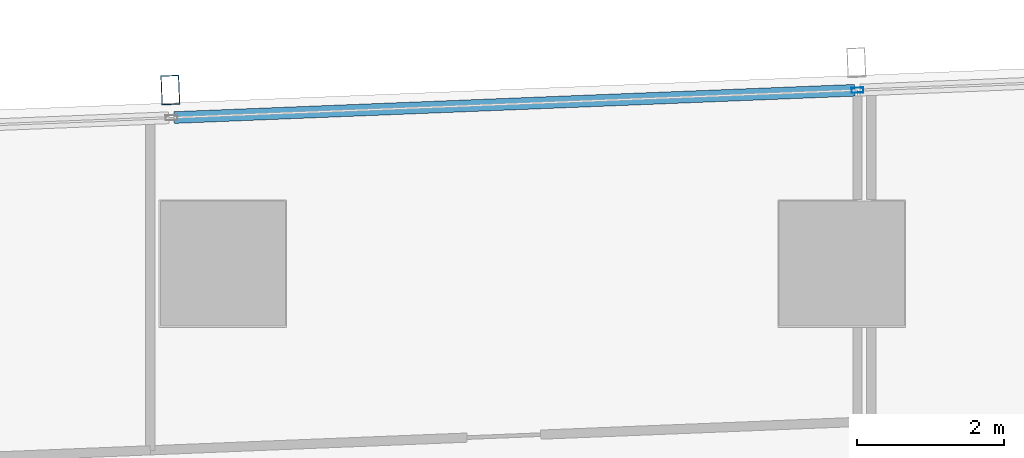
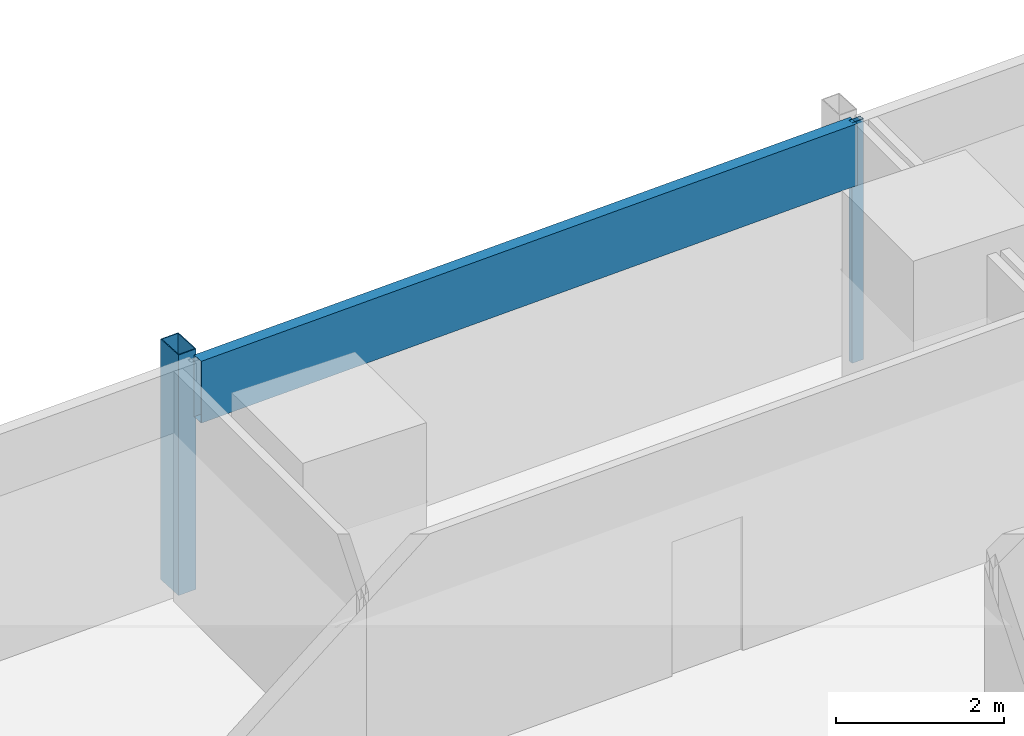
# One storey, part 16 of 40: 3 members, 1 element without a shape of its own.
"""IFC4 building model written with IfcOpenShell, lengths in metres."""

from ifc_helpers import new_model, si_unit, direction, frame, origin, origin_2d, place, context, subcontext, project, spatial, hollow_rectangle, extrude, material, material_profile, profile_set, type_object, element, aggregate, save


model = new_model("IFC4")

# Units and contexts
model_context = context("Model", 3, precision=1e-05, world=origin(), true_north=direction((0.0, 1.0)))
body_context = subcontext(model_context, "Body", "Model", "MODEL_VIEW")
ifc_project = project(units=[si_unit("LENGTHUNIT", "METRE"), si_unit("AREAUNIT", "SQUARE_METRE"), si_unit("VOLUMEUNIT", "CUBIC_METRE"), si_unit("PLANEANGLEUNIT", "RADIAN"), si_unit("MASSUNIT", "GRAM", prefix="KILO")], contexts=[model_context])

# Site, building, storey
site_placement = place(None, origin())
site = spatial("IfcSite", under=ifc_project, at=site_placement, CompositionType="ELEMENT")
building_placement = place(site_placement, origin())
building = spatial("IfcBuilding", under=site, at=building_placement, Name="Rekha Terrace Tower", CompositionType="ELEMENT")
storey_placement = place(building_placement, frame((0.0, 0.0, 110.300048828125)))
storey = spatial("IfcBuildingStorey", under=building, at=storey_placement, Name="L27", CompositionType="ELEMENT", Elevation=110.300048828125)

# Curtain wall, members
ifc_material_1 = material(Name="Aluminium framing", Category="aluminium")
curtain_wall_type = type_object("IfcCurtainWallType", Name="CW3 north unitised glazing", PredefinedType="USERDEFINED", material=ifc_material_1)
curtain_wall_placement = place(storey_placement, origin())
curtain_wall = element("IfcCurtainWall", 1, at=curtain_wall_placement, inside=storey, type_object=curtain_wall_type, Name="CW3 unitised curtain wall", ObjectType="UNITISED CURTAIN WALL", PredefinedType="USERDEFINED")
ifc_material_2 = material(Name="Steel S355 with fluorocarbon finish", Category="steel")
ifc_material_profile_1 = material_profile(ifc_material_2, hollow_rectangle(XDim=0.25, YDim=0.39990234375, WallThickness=0.012451171875, at=origin_2d()), Name="RHS400x250x12.5")
ifc_profile_set_1 = profile_set([ifc_material_profile_1], Name="Steel S355 with fluorocarbon finish")
member_type_1 = type_object("IfcMemberType", Name="BL1 facade blade RHS 400 x 250", PredefinedType="USERDEFINED", material=ifc_profile_set_1)
member_1_placement = place(storey_placement, frame((16.0869140625, 61.1552734375, 0.0), z_axis=(0.0, 0.0, 1.0), x_axis=(-0.999198382632, -0.040032388711, 0.0)))
member_1 = element("IfcMember", 2, at=member_1_placement, type_object=member_type_1, Name="Facade blade", ObjectType="FACADE BLADE", PredefinedType="USERDEFINED", context=body_context, shape_type="SweptSolid", body=[
    extrude(hollow_rectangle(XDim=0.25, YDim=0.39990234375, WallThickness=0.012451171875, at=origin_2d()), origin(), (0.0, 0.0, 1.0), 3.5),
])
ifc_material_3 = material(Name="Aluminium mullion section", Category="aluminium")
ifc_material_profile_2 = material_profile(ifc_material_3, hollow_rectangle(XDim=0.070068359375, YDim=0.159912109375, WallThickness=0.00390625, at=origin_2d()), Name="AL RHS 70x160")
ifc_profile_set_2 = profile_set([ifc_material_profile_2], Name="Aluminium mullion section")
member_type_2 = type_object("IfcMemberType", Name="CW3 mullion RHS 70 x 160", PredefinedType="MULLION", material=ifc_profile_set_2)
member_2_placement = place(storey_placement, frame((25.413818359375, 61.153564453125, 0.0), z_axis=(0.0, 0.0, 1.0), x_axis=(0.040031987119, -0.999198398721, 0.0)))
member_2 = element("IfcMember", 3, at=member_2_placement, type_object=member_type_2, Name="CW3 mullion 3", PredefinedType="MULLION", context=body_context, shape_type="SweptSolid", body=[
    extrude(hollow_rectangle(XDim=0.070068359375, YDim=0.159912109375, WallThickness=0.00390625, at=origin_2d()), origin(), (0.0, 0.0, 1.0), 3.5),
])
ifc_material_4 = material(Name="Insulated aluminium spandrel box", Category="aluminium")
ifc_material_profile_3 = material_profile(ifc_material_4, hollow_rectangle(XDim=0.159912109375, YDim=0.89990234375, WallThickness=0.0029296875, at=origin_2d()), Name="AL SPANDREL BOX 160x900")
ifc_profile_set_3 = profile_set([ifc_material_profile_3], Name="Insulated aluminium spandrel box")
member_type_3 = type_object("IfcMemberType", Name="CW3 spandrel transom 160 x 900", PredefinedType="USERDEFINED", material=ifc_profile_set_3)
member_3_placement = place(storey_placement, frame((25.37890625, 61.152099609375, 3.050048828125), z_axis=(-0.999199102424, -0.040014418831, 0.0), x_axis=(0.040014418831, -0.999199102424, 0.0)))
member_3 = element("IfcMember", 4, at=member_3_placement, type_object=member_type_3, Name="CW3 spandrel transom 3", ObjectType="TRANSOM", PredefinedType="USERDEFINED", context=body_context, shape_type="SweptSolid", body=[
    extrude(hollow_rectangle(XDim=0.159912109375, YDim=0.89990234375, WallThickness=0.0029296875, at=origin_2d()), origin(), (0.0, 0.0, 1.0), 9.24951171875),
])
aggregate(curtain_wall, [member_2, member_3, member_1])

save(model, "model.ifc")
